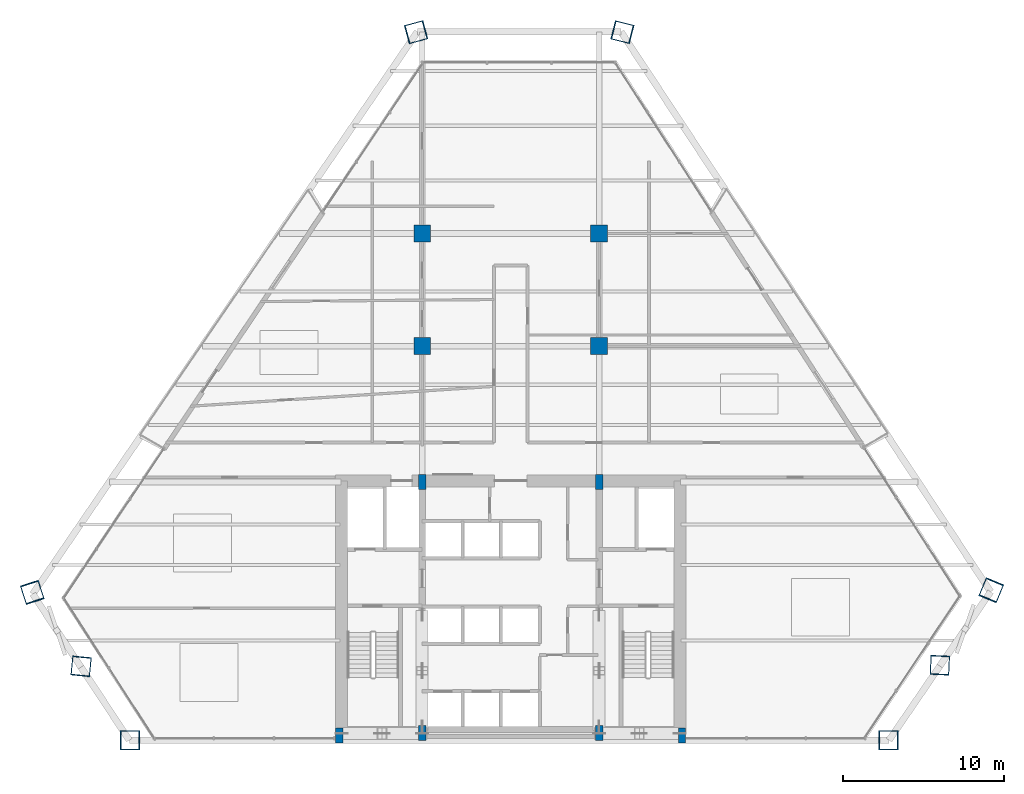
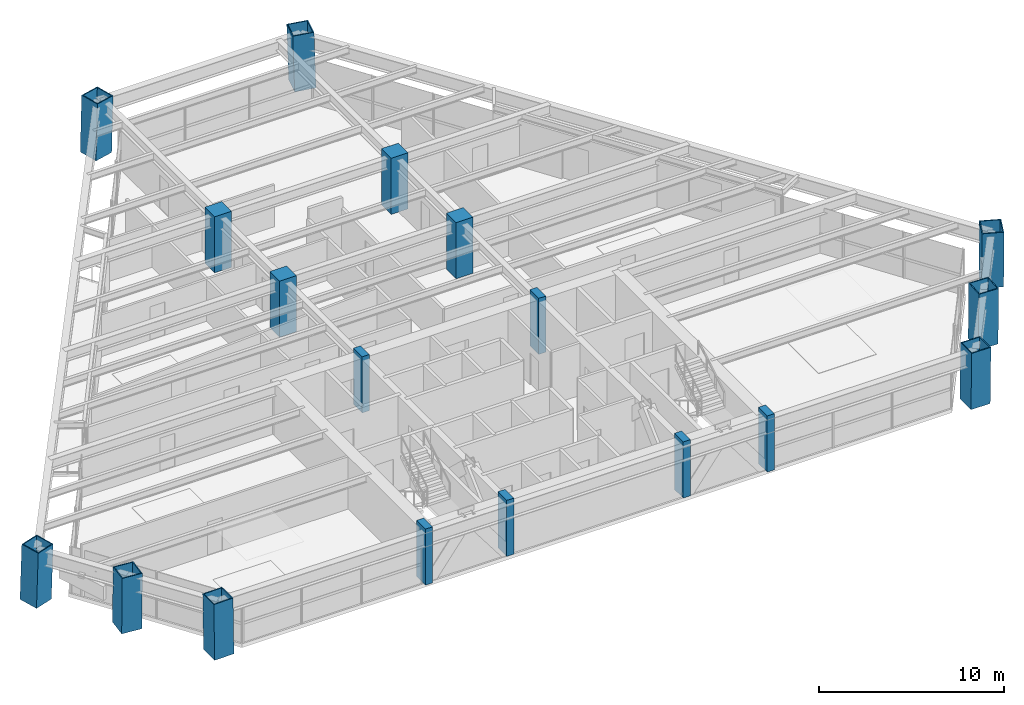
# One storey, part 1 of 14: 18 columns.
"""IFC4 building model written with IfcOpenShell, lengths in metres."""

from ifc_helpers import new_model, si_unit, direction, frame, origin, origin_2d, place, context, subcontext, project, spatial, rectangle, hollow_rectangle, extrude, source, transform, mapped, material, material_profile, profile_set, type_object, type_shapes, element, save


model = new_model("IFC4")

# Units and contexts
model_context = context("Model", 3, precision=1e-05, world=origin(), true_north=direction((0.0, 1.0)))
body_context = subcontext(model_context, "Body", "Model", "MODEL_VIEW")
ifc_project = project(units=[si_unit("LENGTHUNIT", "METRE"), si_unit("AREAUNIT", "SQUARE_METRE"), si_unit("VOLUMEUNIT", "CUBIC_METRE"), si_unit("PLANEANGLEUNIT", "RADIAN"), si_unit("MASSUNIT", "GRAM", prefix="KILO")], contexts=[model_context])

# Site, building, storey
site_placement = place(None, origin())
site = spatial("IfcSite", under=ifc_project, at=site_placement, CompositionType="ELEMENT")
building_placement = place(site_placement, origin())
building = spatial("IfcBuilding", under=site, at=building_placement, Name="Varnakhor Terracotta Tower", CompositionType="ELEMENT")
storey_placement = place(building_placement, frame((0.0, 0.0, 98.800048828125)))
storey = spatial("IfcBuildingStorey", under=building, at=storey_placement, Name="L24", CompositionType="ELEMENT", Elevation=98.800048828125)

# Columns
ifc_material_1 = material(Name="Concrete C50/60", Category="concrete")
ifc_material_profile_1 = material_profile(ifc_material_1, rectangle(XDim=0.449951171875, YDim=0.949951171875, at=origin_2d()), Name="RC PILASTER 950x450")
ifc_profile_set_1 = profile_set([ifc_material_profile_1], Name="Concrete C50/60")
column_type_1 = type_object("IfcColumnType", Name="COL-PIL-950x450", PredefinedType="PILASTER", material=ifc_profile_set_1)
shared_shape_1 = source(origin(), body_context, "Body", "SweptSolid", [
    extrude(rectangle(XDim=0.449951171875, YDim=0.949951171875, at=origin_2d()), origin(), (0.0, 0.0, 1.0), 3.699951171875),
])
for number, where, z_axis, x_axis, name in (
    (1, (-10.64990234375, 0.300048828125, 0.0), (0.0, 0.0, 1.0), (1.0, 0.0, 0.0), "L24 Core Pilaster CP1"),
    (2, (-5.5, 0.449951171875, 0.0), (0.0, 0.0, 1.0), (1.0, 0.0, 0.0), "L24 Core Pilaster CP2"),
    (3, (5.5, 0.449951171875, 0.0), (0.0, 0.0, 1.0), (1.0, 0.0, 0.0), "L24 Core Pilaster CP3"),
    (4, (10.64990234375, 0.300048828125, 0.0), (0.0, 0.0, 1.0), (1.0, 0.0, 0.0), "L24 Core Pilaster CP4"),
    (5, (-5.5, 16.050048828125, 0.0), (0.0, 0.0, 1.0), (1.0, 0.0, 0.0), "L24 Core Pilaster CP5"),
    (6, (5.5, 16.050048828125, 0.0), (0.0, 0.0, 1.0), (1.0, 0.0, 0.0), "L24 Core Pilaster CP6"),
):
    element("IfcColumn", number, at=place(storey_placement, frame(where, z_axis=z_axis, x_axis=x_axis)), inside=storey, type_object=column_type_1, Name=name, PredefinedType="PILASTER", context=body_context, shape_type="MappedRepresentation", body=[
        mapped(shared_shape_1, transform((0.0, 0.0, 0.0), scale=1.0)),
    ])
ifc_material_2 = material(Name="Concrete C60/75", Category="concrete")
ifc_material_profile_2 = material_profile(ifc_material_2, rectangle(XDim=1.050048828125, YDim=1.050048828125, at=origin_2d()), Name="RC 1050x1050")
ifc_profile_set_2 = profile_set([ifc_material_profile_2], Name="Concrete C60/75")
column_type_2 = type_object("IfcColumnType", Name="COL-RC-1050", PredefinedType="COLUMN", material=ifc_profile_set_2)
shared_shape_2 = source(origin(), body_context, "Body", "SweptSolid", [
    extrude(rectangle(XDim=1.050048828125, YDim=1.050048828125, at=origin_2d()), origin(), (0.0, 0.0, 1.0), 3.699951171875),
])
for number, where, z_axis, x_axis, name in (
    (7, (-5.5, 24.5, 0.0), (0.0, 0.0, 1.0), (1.0, 0.0, 0.0), "L24 Interior Tower Column IC1"),
    (8, (5.5, 24.5, 0.0), (0.0, 0.0, 1.0), (1.0, 0.0, 0.0), "L24 Interior Tower Column IC2"),
    (9, (-5.5, 31.5, 0.0), (0.0, 0.0, 1.0), (1.0, 0.0, 0.0), "L24 Interior Tower Column IC3"),
    (10, (5.5, 31.5, 0.0), (0.0, 0.0, 1.0), (1.0, 0.0, 0.0), "L24 Interior Tower Column IC4"),
):
    element("IfcColumn", number, at=place(storey_placement, frame(where, z_axis=z_axis, x_axis=x_axis)), inside=storey, type_object=column_type_2, Name=name, PredefinedType="COLUMN", context=body_context, shape_type="MappedRepresentation", body=[
        mapped(shared_shape_2, transform((0.0, 0.0, 0.0), scale=1.0)),
    ])
ifc_material_3 = material(Name="Steel S460", Category="steel")
ifc_material_profile_3 = material_profile(ifc_material_3, hollow_rectangle(XDim=1.199951171875, YDim=1.199951171875, WallThickness=0.06005859375, at=origin_2d()), Name="BOX 1200x1200x60")
ifc_profile_set_3 = profile_set([ifc_material_profile_3], Name="Steel S460")
column_type_3 = type_object("IfcColumnType", Name="COL-MEGA-1200", PredefinedType="COLUMN", material=ifc_profile_set_3)
shared_shape_3 = source(origin(), body_context, "Body", "SweptSolid", [
    extrude(hollow_rectangle(XDim=1.199951171875, YDim=1.199951171875, WallThickness=0.06005859375, at=origin_2d()), origin(), (0.0, 0.0, 1.0), 3.691650390625),
])
type_shapes(column_type_3, [shared_shape_3])
for number, where, z_axis, x_axis, name in (
    (11, (-23.65869140625, 0.0, 0.00439453125), (-0.014086835452, 0.0, 0.999900775611), (0.0, -1.0, 0.0), "L24 Perimeter Mega-Column M1"),
    (12, (26.683837890625, 4.671875, 0.00439453125), (-0.000727469504, -0.015872061902, 0.999873766252), (0.99895130473, -0.045785268133, 0.0), "L24 Perimeter Mega-Column M3"),
    (13, (-26.7041015625, 4.606201171875, 0.00439453125), (-0.001653312955, -0.016797659619, 0.999857542447), (0.995191151601, -0.097951885, 0.0), "L24 Perimeter Mega-Column M8"),
):
    element("IfcColumn", number, at=place(storey_placement, frame(where, z_axis=z_axis, x_axis=x_axis)), inside=storey, type_object=column_type_3, Name=name, PredefinedType="COLUMN", context=body_context, shape_type="MappedRepresentation", body=[
        mapped(shared_shape_3, transform((0.0, 0.0, 0.0), scale=1.0)),
    ])
shared_shape_4 = source(origin(), body_context, "Body", "SweptSolid", [
    extrude(hollow_rectangle(XDim=1.199951171875, YDim=1.199951171875, WallThickness=0.06005859375, at=origin_2d()), origin(), (0.0, 0.0, 1.0), 3.69140625),
])
column_1_placement = place(storey_placement, frame((23.481689453125, 0.0, 0.00439453125), z_axis=(0.011838577681, 0.0, 0.999929921584), x_axis=(0.0, 1.0, 0.0)))
element("IfcColumn", 14, at=column_1_placement, inside=storey, type_object=column_type_3, Name="L24 Perimeter Mega-Column M2", PredefinedType="COLUMN", context=body_context, shape_type="MappedRepresentation", body=[
    mapped(shared_shape_4, transform((0.0, 0.0, 0.0), scale=1.0)),
])
shared_shape_5 = source(origin(), body_context, "Body", "SweptSolid", [
    extrude(hollow_rectangle(XDim=1.199951171875, YDim=1.199951171875, WallThickness=0.06005859375, at=origin_2d()), origin(), (0.0, 0.0, 1.0), 3.693359375),
])
for number, where, z_axis, x_axis, name in (
    (15, (29.8857421875, 9.34375, 0.00439453125), (-0.013220543142, -0.031795406257, 0.999406958841), (0.923360646135, -0.383933740597, 0.0), "L24 Perimeter Mega-Column M4"),
    (16, (-29.74951171875, 9.21240234375, 0.00439453125), (0.0108405233, -0.033579181929, 0.9993772669), (0.951637968522, 0.307221706373, 0.0), "L24 Perimeter Mega-Column M7"),
):
    element("IfcColumn", number, at=place(storey_placement, frame(where, z_axis=z_axis, x_axis=x_axis)), inside=storey, type_object=column_type_3, Name=name, PredefinedType="COLUMN", context=body_context, shape_type="MappedRepresentation", body=[
        mapped(shared_shape_5, transform((0.0, 0.0, 0.0), scale=1.0)),
    ])
shared_shape_6 = source(origin(), body_context, "Body", "SweptSolid", [
    extrude(hollow_rectangle(XDim=1.199951171875, YDim=1.199951171875, WallThickness=0.06005859375, at=origin_2d()), origin(), (0.0, 0.0, 1.0), 3.692626953125),
])
column_2_placement = place(storey_placement, frame((-5.897705078125, 44.014404296875, 0.00439453125), z_axis=(0.026711115516, 0.007206711859, 0.999617216544), x_axis=(-0.260487654543, 0.965477178306, 0.0)))
element("IfcColumn", 17, at=column_2_placement, inside=storey, type_object=column_type_3, Name="L24 Perimeter Mega-Column M6", PredefinedType="COLUMN", context=body_context, shape_type="MappedRepresentation", body=[
    mapped(shared_shape_6, transform((0.0, 0.0, 0.0), scale=1.0)),
])
shared_shape_7 = source(origin(), body_context, "Body", "SweptSolid", [
    extrude(hollow_rectangle(XDim=1.199951171875, YDim=1.199951171875, WallThickness=0.06005859375, at=origin_2d()), origin(), (0.0, 0.0, 1.0), 3.69287109375),
])
column_3_placement = place(storey_placement, frame((6.963134765625, 44.014404296875, 0.00439453125), z_axis=(-0.028626978846, 0.007206329548, 0.999564187482), x_axis=(-0.244116195814, -0.969745988876, 0.0)))
element("IfcColumn", 18, at=column_3_placement, inside=storey, type_object=column_type_3, Name="L24 Perimeter Mega-Column M5", PredefinedType="COLUMN", context=body_context, shape_type="MappedRepresentation", body=[
    mapped(shared_shape_7, transform((0.0, 0.0, 0.0), scale=1.0)),
])

save(model, "model.ifc")
